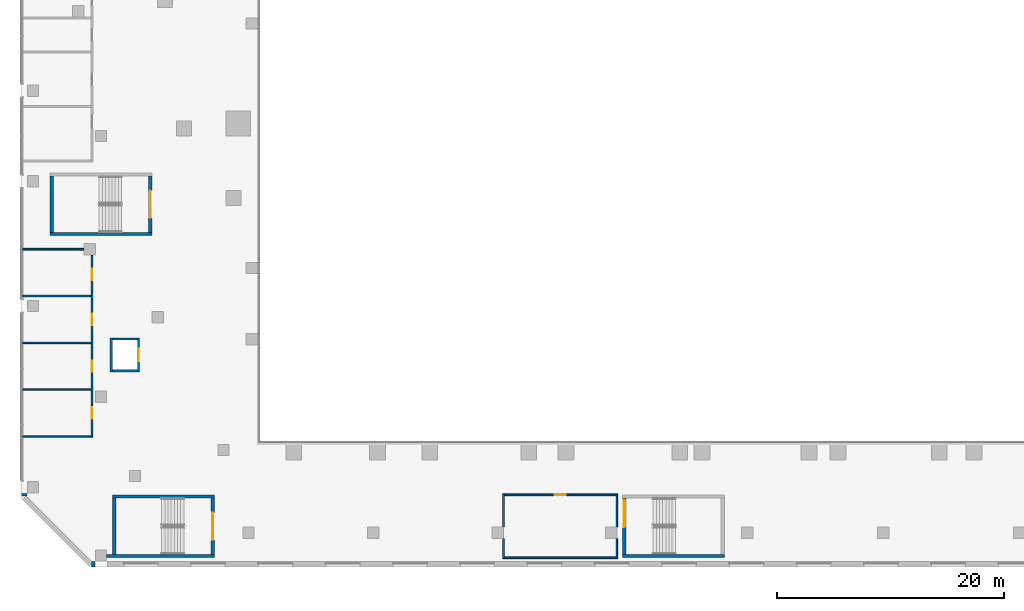
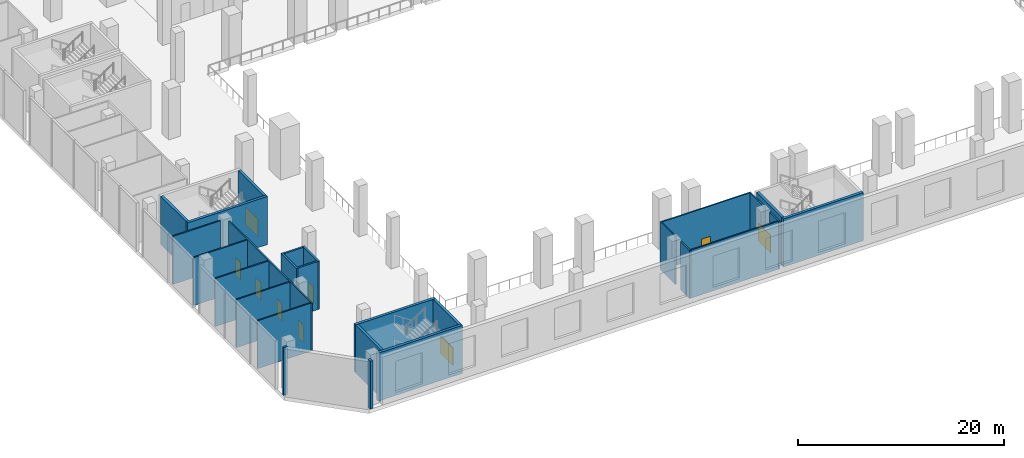
# One storey, part 10 of 30: 27 walls, 9 doors, 9 openings.
"""IFC4 building model written with IfcOpenShell, lengths in metres."""

from ifc_helpers import new_model, si_unit, direction, frame, frame_2d, origin, place, context, subcontext, project, spatial, rectangle, extrude, material, layer, layer_set, type_object, element, fill, save


model = new_model("IFC4")

# Units and contexts
model_context = context("Model", 3, precision=1e-05, world=origin(), true_north=direction((0.0, 1.0)))
body_context = subcontext(model_context, "Body", "Model", "MODEL_VIEW")
ifc_project = project(units=[si_unit("LENGTHUNIT", "METRE"), si_unit("AREAUNIT", "SQUARE_METRE"), si_unit("VOLUMEUNIT", "CUBIC_METRE"), si_unit("PLANEANGLEUNIT", "RADIAN"), si_unit("MASSUNIT", "GRAM", prefix="KILO")], contexts=[model_context])

# Site, building, storey
site_placement = place(None, origin())
site = spatial("IfcSite", under=ifc_project, at=site_placement, CompositionType="ELEMENT")
building_placement = place(site_placement, origin())
building = spatial("IfcBuilding", under=site, at=building_placement, Name="Wharfspan Tower", CompositionType="ELEMENT")
storey_placement = place(building_placement, frame((0.0, 0.0, 21.5)))
storey = spatial("IfcBuildingStorey", under=building, at=storey_placement, Name="L03", CompositionType="ELEMENT", Elevation=21.5)

# Wall
ifc_material_1 = material(Name="Calcium silicate masonry", Category="masonry")
ifc_layer_1 = layer(ifc_material_1, 0.149902)
ifc_layer_set_1 = layer_set([ifc_layer_1], Name="Calcium silicate masonry")
wall_type_1 = type_object("IfcWallType", Name="Podium room wall 150", PredefinedType="PARTITIONING", material=ifc_layer_set_1)
wall_1_placement = place(storey_placement, frame((-11.89502, -20.5, 0.0), z_axis=(0.0, 0.0, 1.0), x_axis=(1.0, 0.0, 0.0)))
element("IfcWall", 1, at=wall_1_placement, inside=storey, type_object=wall_type_1, Name="iw:L03:1", PredefinedType="PARTITIONING", context=body_context, shape_type="SweptSolid", body=[
    extrude(rectangle(XDim=6.02002, YDim=0.149902, at=frame_2d((3.01001, 0.0))), origin(), (0.0, 0.0, 1.0), 5.699951),
])

# Wall, openings, doors
wall_2_placement = place(storey_placement, frame((-5.800049, -20.574951, 0.0), z_axis=(0.0, 0.0, 1.0), x_axis=(0.0, 1.0, 0.0)))
wall_2 = element("IfcWall", 2, at=wall_2_placement, inside=storey, type_object=wall_type_1, Name="iw:L03:3", PredefinedType="PARTITIONING", context=body_context, shape_type="SweptSolid", body=[
    extrude(rectangle(XDim=16.064941, YDim=0.149902, at=frame_2d((8.032471, 0.0))), origin(), (0.0, 0.0, 1.0), 5.699951),
])
opening_1_placement = place(wall_2_placement, frame((1.637451, 0.0, 0.0)))
opening_1 = element("IfcOpeningElement", 3, at=opening_1_placement, cuts=wall_2, Name="Opening PD03.1", PredefinedType="OPENING", context=body_context, shape_type="SweptSolid", body=[
    extrude(rectangle(XDim=1.0, YDim=2.100098, at=frame_2d((0.5, 1.050049))), frame((0.0, 0.084961, 0.0), z_axis=(0.0, -1.0, 0.0), x_axis=(1.0, 0.0, 0.0)), (0.0, 0.0, 1.0), 0.169922),
])
opening_2_placement = place(wall_2_placement, frame((5.762451, 0.0, 0.0)))
opening_2 = element("IfcOpeningElement", 4, at=opening_2_placement, cuts=wall_2, Name="Opening PD03.2", PredefinedType="OPENING", context=body_context, shape_type="SweptSolid", body=[
    extrude(rectangle(XDim=1.0, YDim=2.100098, at=frame_2d((0.5, 1.050049))), frame((0.0, 0.084961, 0.0), z_axis=(0.0, -1.0, 0.0), x_axis=(1.0, 0.0, 0.0)), (0.0, 0.0, 1.0), 0.169922),
])
opening_3_placement = place(wall_2_placement, frame((9.887451, 0.0, 0.0)))
opening_3 = element("IfcOpeningElement", 5, at=opening_3_placement, cuts=wall_2, Name="Opening PD03.3", PredefinedType="OPENING", context=body_context, shape_type="SweptSolid", body=[
    extrude(rectangle(XDim=1.0, YDim=2.100098, at=frame_2d((0.5, 1.050049))), frame((0.0, 0.084961, 0.0), z_axis=(0.0, -1.0, 0.0), x_axis=(1.0, 0.0, 0.0)), (0.0, 0.0, 1.0), 0.169922),
])
opening_4_placement = place(wall_2_placement, frame((13.857422, 0.0, 0.0)))
opening_4 = element("IfcOpeningElement", 6, at=opening_4_placement, cuts=wall_2, Name="Opening PD03.4", PredefinedType="OPENING", context=body_context, shape_type="SweptSolid", body=[
    extrude(rectangle(XDim=1.0, YDim=2.100098, at=frame_2d((0.5, 1.050049))), frame((0.0, 0.084961, 0.0), z_axis=(0.0, -1.0, 0.0), x_axis=(1.0, 0.0, 0.0)), (0.0, 0.0, 1.0), 0.169922),
])
ifc_material_2 = material(Name="Steel door leaf", Category="steel")
door_type_1 = type_object("IfcDoorType", Name="Podium room door 1000x2100", OperationType="SINGLE_SWING_LEFT", PredefinedType="DOOR", material=ifc_material_2)
door_1_placement = place(opening_1_placement, origin())
door_1 = element("IfcDoor", 7, at=door_1_placement, inside=storey, type_object=door_type_1, Name="id:L03:1", OperationType="SINGLE_SWING_RIGHT", OverallHeight=2.100098, OverallWidth=1.0, PredefinedType="DOOR", context=body_context, shape_type="SweptSolid", body=[
    extrude(rectangle(XDim=1.0, YDim=2.100098, at=frame_2d((0.5, 1.050049))), frame((0.0, 0.024902, 0.0), z_axis=(0.0, -1.0, 0.0), x_axis=(1.0, 0.0, 0.0)), (0.0, 0.0, 1.0), 0.050049),
])
fill(opening_1, door_1)
door_2_placement = place(opening_2_placement, origin())
door_2 = element("IfcDoor", 8, at=door_2_placement, inside=storey, type_object=door_type_1, Name="id:L03:2", OperationType="SINGLE_SWING_LEFT", OverallHeight=2.100098, OverallWidth=1.0, PredefinedType="DOOR", context=body_context, shape_type="SweptSolid", body=[
    extrude(rectangle(XDim=1.0, YDim=2.100098, at=frame_2d((0.5, 1.050049))), frame((0.0, 0.024902, 0.0), z_axis=(0.0, -1.0, 0.0), x_axis=(1.0, 0.0, 0.0)), (0.0, 0.0, 1.0), 0.050049),
])
fill(opening_2, door_2)
door_3_placement = place(opening_3_placement, origin())
door_3 = element("IfcDoor", 9, at=door_3_placement, inside=storey, type_object=door_type_1, Name="id:L03:3", OperationType="SINGLE_SWING_RIGHT", OverallHeight=2.100098, OverallWidth=1.0, PredefinedType="DOOR", context=body_context, shape_type="SweptSolid", body=[
    extrude(rectangle(XDim=1.0, YDim=2.100098, at=frame_2d((0.5, 1.050049))), frame((0.0, 0.024902, 0.0), z_axis=(0.0, -1.0, 0.0), x_axis=(1.0, 0.0, 0.0)), (0.0, 0.0, 1.0), 0.050049),
])
fill(opening_3, door_3)
door_4_placement = place(opening_4_placement, origin())
door_4 = element("IfcDoor", 10, at=door_4_placement, inside=storey, type_object=door_type_1, Name="id:L03:4", OperationType="SINGLE_SWING_LEFT", OverallHeight=2.100098, OverallWidth=1.0, PredefinedType="DOOR", context=body_context, shape_type="SweptSolid", body=[
    extrude(rectangle(XDim=1.0, YDim=2.100098, at=frame_2d((0.5, 1.050049))), frame((0.0, 0.024902, 0.0), z_axis=(0.0, -1.0, 0.0), x_axis=(1.0, 0.0, 0.0)), (0.0, 0.0, 1.0), 0.050049),
])
fill(opening_4, door_4)

# Walls
for number, where, z_axis, x_axis, name in (
    (11, (-11.89502, -16.375, 0.0), (0.0, 0.0, 1.0), (1.0, 0.0, 0.0), "iw:L03:6"),
    (12, (-11.89502, -12.25, 0.0), (0.0, 0.0, 1.0), (1.0, 0.0, 0.0), "iw:L03:8"),
    (13, (-11.89502, -8.125, 0.0), (0.0, 0.0, 1.0), (1.0, 0.0, 0.0), "iw:L03:10"),
):
    element("IfcWall", number, at=place(storey_placement, frame(where, z_axis=z_axis, x_axis=x_axis)), inside=storey, type_object=wall_type_1, Name=name, PredefinedType="PARTITIONING", context=body_context, shape_type="SweptSolid", body=[
        extrude(rectangle(XDim=6.02002, YDim=0.149902, at=frame_2d((3.01001, 0.0))), origin(), (0.0, 0.0, 1.0), 5.699951),
    ])
wall_3_placement = place(storey_placement, frame((-11.89502, -4.0, 0.0), z_axis=(0.0, 0.0, 1.0), x_axis=(1.0, 0.0, 0.0)))
element("IfcWall", 14, at=wall_3_placement, inside=storey, type_object=wall_type_1, Name="iw:L03:12", PredefinedType="PARTITIONING", context=body_context, shape_type="SweptSolid", body=[
    extrude(rectangle(XDim=5.38501, YDim=0.149902, at=frame_2d((2.692383, 0.0))), origin(), (0.0, 0.0, 1.0), 5.699951),
])
wall_4_placement = place(storey_placement, frame((30.574951, -31.199951, 0.0), z_axis=(0.0, 0.0, 1.0), x_axis=(1.0, 0.0, 0.0)))
element("IfcWall", 15, at=wall_4_placement, inside=storey, type_object=wall_type_1, Name="iw:L03:43", PredefinedType="PARTITIONING", context=body_context, shape_type="SweptSolid", body=[
    extrude(rectangle(XDim=9.850098, YDim=0.149902, at=frame_2d((4.925049, 0.0))), origin(), (0.0, 0.0, 1.0), 5.699951),
])
wall_5_placement = place(storey_placement, frame((40.5, -31.274902, 0.0), z_axis=(0.0, 0.0, 1.0), x_axis=(0.0, 1.0, 0.0)))
element("IfcWall", 16, at=wall_5_placement, inside=storey, type_object=wall_type_1, Name="iw:L03:44", PredefinedType="PARTITIONING", context=body_context, shape_type="SweptSolid", body=[
    extrude(rectangle(XDim=1.764893, YDim=0.149902, at=frame_2d((0.882324, 0.0))), origin(), (0.0, 0.0, 1.0), 5.699951),
])
wall_6_placement = place(storey_placement, frame((40.5, -28.48999, 0.0), z_axis=(0.0, 0.0, 1.0), x_axis=(0.0, 1.0, 0.0)))
element("IfcWall", 17, at=wall_6_placement, inside=storey, type_object=wall_type_1, Name="iw:L03:45", PredefinedType="PARTITIONING", context=body_context, shape_type="SweptSolid", body=[
    extrude(rectangle(XDim=2.915039, YDim=0.149902, at=frame_2d((1.45752, 0.0))), origin(), (0.0, 0.0, 1.0), 5.699951),
])

# Wall, opening, door
wall_7_placement = place(storey_placement, frame((30.574951, -25.649902, 0.0), z_axis=(0.0, 0.0, 1.0), x_axis=(1.0, 0.0, 0.0)))
wall_7 = element("IfcWall", 18, at=wall_7_placement, inside=storey, type_object=wall_type_1, Name="iw:L03:46", PredefinedType="PARTITIONING", context=body_context, shape_type="SweptSolid", body=[
    extrude(rectangle(XDim=9.850098, YDim=0.149902, at=frame_2d((4.925049, 0.0))), origin(), (0.0, 0.0, 1.0), 5.699951),
])
opening_5_placement = place(wall_7_placement, frame((4.425049, 0.0, 0.0)))
opening_5 = element("IfcOpeningElement", 19, at=opening_5_placement, cuts=wall_7, Name="Opening PD03.24", PredefinedType="OPENING", context=body_context, shape_type="SweptSolid", body=[
    extrude(rectangle(XDim=1.0, YDim=2.100098, at=frame_2d((0.5, 1.050049))), frame((0.0, 0.084961, 0.0), z_axis=(0.0, -1.0, 0.0), x_axis=(1.0, 0.0, 0.0)), (0.0, 0.0, 1.0), 0.169922),
])
door_5_placement = place(opening_5_placement, origin())
door_5 = element("IfcDoor", 20, at=door_5_placement, inside=storey, type_object=door_type_1, Name="id:L03:24", OperationType="SINGLE_SWING_LEFT", OverallHeight=2.100098, OverallWidth=1.0, PredefinedType="DOOR", context=body_context, shape_type="SweptSolid", body=[
    extrude(rectangle(XDim=1.0, YDim=2.100098, at=frame_2d((0.5, 1.050049))), frame((0.0, 0.024902, 0.0), z_axis=(0.0, -1.0, 0.0), x_axis=(1.0, 0.0, 0.0)), (0.0, 0.0, 1.0), 0.050049),
])
fill(opening_5, door_5)

# Walls
wall_8_placement = place(storey_placement, frame((30.5, -31.274902, 0.0), z_axis=(0.0, 0.0, 1.0), x_axis=(0.0, 1.0, 0.0)))
element("IfcWall", 21, at=wall_8_placement, inside=storey, type_object=wall_type_1, Name="iw:L03:47", PredefinedType="PARTITIONING", context=body_context, shape_type="SweptSolid", body=[
    extrude(rectangle(XDim=1.764893, YDim=0.149902, at=frame_2d((0.882324, 0.0))), origin(), (0.0, 0.0, 1.0), 5.699951),
])
wall_9_placement = place(storey_placement, frame((30.5, -28.48999, 0.0), z_axis=(0.0, 0.0, 1.0), x_axis=(0.0, 1.0, 0.0)))
element("IfcWall", 22, at=wall_9_placement, inside=storey, type_object=wall_type_1, Name="iw:L03:48", PredefinedType="PARTITIONING", context=body_context, shape_type="SweptSolid", body=[
    extrude(rectangle(XDim=2.915039, YDim=0.149902, at=frame_2d((1.45752, 0.0))), origin(), (0.0, 0.0, 1.0), 5.699951),
])
ifc_material_3 = material(Name="Concrete C30/37", Category="concrete")
ifc_layer_2 = layer(ifc_material_3, 0.199951)
ifc_layer_set_2 = layer_set([ifc_layer_2], Name="Concrete C30/37")
wall_type_2 = type_object("IfcWallType", Name="Podium shaft wall 200", PredefinedType="PARTITIONING", material=ifc_layer_set_2)
wall_10_placement = place(storey_placement, frame((-4.100098, -14.800049, 0.0), z_axis=(0.0, 0.0, 1.0), x_axis=(0.0, 1.0, 0.0)))
element("IfcWall", 23, at=wall_10_placement, inside=storey, type_object=wall_type_2, Name="pl:LP3:L03:W", PredefinedType="PARTITIONING", context=body_context, shape_type="SweptSolid", body=[
    extrude(rectangle(XDim=3.0, YDim=0.199951, at=frame_2d((1.5, 0.0))), origin(), (0.0, 0.0, 1.0), 5.699951),
])

# Wall, opening, door
wall_11_placement = place(storey_placement, frame((-1.699951, -14.800049, 0.0), z_axis=(0.0, 0.0, 1.0), x_axis=(0.0, 1.0, 0.0)))
wall_11 = element("IfcWall", 24, at=wall_11_placement, inside=storey, type_object=wall_type_2, Name="pl:LP3:L03:E", PredefinedType="PARTITIONING", context=body_context, shape_type="SweptSolid", body=[
    extrude(rectangle(XDim=3.0, YDim=0.199951, at=frame_2d((1.5, 0.0))), origin(), (0.0, 0.0, 1.0), 5.699951),
])
opening_6_placement = place(wall_11_placement, frame((0.949951, 0.0, 0.0)))
opening_6 = element("IfcOpeningElement", 25, at=opening_6_placement, cuts=wall_11, Name="Opening LDP3.L03", PredefinedType="OPENING", context=body_context, shape_type="SweptSolid", body=[
    extrude(rectangle(XDim=1.100098, YDim=2.100098, at=frame_2d((0.550049, 1.050049))), frame((0.0, 0.109863, 0.0), z_axis=(0.0, -1.0, 0.0), x_axis=(1.0, 0.0, 0.0)), (0.0, 0.0, 1.0), 0.219971),
])
ifc_material_4 = material(Name="Stainless steel", Category="steel")
door_type_2 = type_object("IfcDoorType", Name="Podium lift landing door 1100x2100", OperationType="DOUBLE_DOOR_SLIDING", PredefinedType="DOOR", material=ifc_material_4)
door_6_placement = place(opening_6_placement, origin())
door_6 = element("IfcDoor", 26, at=door_6_placement, inside=storey, type_object=door_type_2, Name="Landing door LP3 L03", OperationType="DOUBLE_DOOR_SLIDING", OverallHeight=2.100098, OverallWidth=1.100098, PredefinedType="DOOR", context=body_context, shape_type="SweptSolid", body=[
    extrude(rectangle(XDim=1.100098, YDim=2.100098, at=frame_2d((0.550049, 1.050049))), frame((0.0, 0.024902, 0.0), z_axis=(0.0, -1.0, 0.0), x_axis=(1.0, 0.0, 0.0)), (0.0, 0.0, 1.0), 0.050049),
])
fill(opening_6, door_6)

# Walls
for number, where, z_axis, x_axis, name in (
    (27, (-4.0, -14.699951, 0.0), (0.0, 0.0, 1.0), (1.0, 0.0, 0.0), "pl:LP3:L03:S"),
    (28, (-4.0, -11.899902, 0.0), (0.0, 0.0, 1.0), (1.0, 0.0, 0.0), "pl:LP3:L03:N"),
):
    element("IfcWall", number, at=place(storey_placement, frame(where, z_axis=z_axis, x_axis=x_axis)), inside=storey, type_object=wall_type_2, Name=name, PredefinedType="PARTITIONING", context=body_context, shape_type="SweptSolid", body=[
        extrude(rectangle(XDim=2.199951, YDim=0.199951, at=frame_2d((1.100098, 0.0))), origin(), (0.0, 0.0, 1.0), 5.699951),
    ])
ifc_material_5 = material(Name="Concrete C40/50", Category="concrete")
ifc_layer_3 = layer(ifc_material_5, 0.300049)
ifc_layer_set_3 = layer_set([ifc_layer_3], Name="Concrete C40/50")
wall_type_3 = type_object("IfcWallType", Name="Podium stair core wall 300", PredefinedType="SHEAR", material=ifc_layer_set_3)
wall_12_placement = place(storey_placement, frame((-4.5, -31.050049, 0.0), z_axis=(0.0, 0.0, 1.0), x_axis=(1.0, 0.0, 0.0)))
element("IfcWall", 29, at=wall_12_placement, inside=storey, type_object=wall_type_3, Name="iw:L03:AS1S", PredefinedType="SHEAR", context=body_context, shape_type="SweptSolid", body=[
    extrude(rectangle(XDim=9.5, YDim=0.300049, at=frame_2d((4.75, 0.0))), origin(), (0.0, 0.0, 1.0), 5.699951),
])
wall_13_placement = place(storey_placement, frame((-4.0, -25.800049, 0.0), z_axis=(0.0, 0.0, 1.0), x_axis=(1.0, 0.0, 0.0)))
element("IfcWall", 30, at=wall_13_placement, inside=storey, type_object=wall_type_3, Name="iw:L03:AS1N", PredefinedType="SHEAR", context=body_context, shape_type="SweptSolid", body=[
    extrude(rectangle(XDim=9.0, YDim=0.300049, at=frame_2d((4.5, 0.0))), origin(), (0.0, 0.0, 1.0), 5.699951),
])
wall_14_placement = place(storey_placement, frame((-3.850098, -30.899902, 0.0), z_axis=(0.0, 0.0, 1.0), x_axis=(0.0, 1.0, 0.0)))
element("IfcWall", 31, at=wall_14_placement, inside=storey, type_object=wall_type_3, Name="iw:L03:AS1W", PredefinedType="SHEAR", context=body_context, shape_type="SweptSolid", body=[
    extrude(rectangle(XDim=4.949951, YDim=0.300049, at=frame_2d((2.475098, 0.0))), origin(), (0.0, 0.0, 1.0), 5.699951),
])

# Wall, opening, door
wall_15_placement = place(storey_placement, frame((4.850098, -30.899902, 0.0), z_axis=(0.0, 0.0, 1.0), x_axis=(0.0, 1.0, 0.0)))
wall_15 = element("IfcWall", 32, at=wall_15_placement, inside=storey, type_object=wall_type_3, Name="iw:L03:AS1E", PredefinedType="SHEAR", context=body_context, shape_type="SweptSolid", body=[
    extrude(rectangle(XDim=4.949951, YDim=0.300049, at=frame_2d((2.475098, 0.0))), origin(), (0.0, 0.0, 1.0), 5.699951),
])
opening_7_placement = place(wall_15_placement, frame((1.274902, 0.0, 0.0)))
opening_7 = element("IfcOpeningElement", 33, at=opening_7_placement, cuts=wall_15, Name="Opening SDAS1.L03", PredefinedType="OPENING", context=body_context, shape_type="SweptSolid", body=[
    extrude(rectangle(XDim=2.399902, YDim=2.100098, at=frame_2d((1.199951, 1.050049))), frame((0.0, 0.159912, 0.0), z_axis=(0.0, -1.0, 0.0), x_axis=(1.0, 0.0, 0.0)), (0.0, 0.0, 1.0), 0.320068),
])
door_type_3 = type_object("IfcDoorType", Name="Podium stair door 2400x2100", OperationType="DOUBLE_DOOR_SINGLE_SWING", PredefinedType="DOOR", material=ifc_material_2)
door_7_placement = place(opening_7_placement, origin())
door_7 = element("IfcDoor", 34, at=door_7_placement, inside=storey, type_object=door_type_3, Name="id:L03:AS1", OperationType="DOUBLE_DOOR_SINGLE_SWING", OverallHeight=2.100098, OverallWidth=2.399902, PredefinedType="DOOR", context=body_context, shape_type="SweptSolid", body=[
    extrude(rectangle(XDim=2.399902, YDim=2.100098, at=frame_2d((1.199951, 1.050049))), frame((0.0, 0.024902, 0.0), z_axis=(0.0, -1.0, 0.0), x_axis=(1.0, 0.0, 0.0)), (0.0, 0.0, 1.0), 0.050049),
])
fill(opening_7, door_7)

# Wall
wall_16_placement = place(storey_placement, frame((41.0, -31.050049, 0.0), z_axis=(0.0, 0.0, 1.0), x_axis=(1.0, 0.0, 0.0)))
element("IfcWall", 35, at=wall_16_placement, inside=storey, type_object=wall_type_3, Name="iw:L03:AS5S", PredefinedType="SHEAR", context=body_context, shape_type="SweptSolid", body=[
    extrude(rectangle(XDim=9.0, YDim=0.300049, at=frame_2d((4.5, 0.0))), origin(), (0.0, 0.0, 1.0), 5.699951),
])

# Wall, opening, door
wall_17_placement = place(storey_placement, frame((41.149902, -30.899902, 0.0), z_axis=(0.0, 0.0, 1.0), x_axis=(0.0, 1.0, 0.0)))
wall_17 = element("IfcWall", 36, at=wall_17_placement, inside=storey, type_object=wall_type_3, Name="iw:L03:AS5W", PredefinedType="SHEAR", context=body_context, shape_type="SweptSolid", body=[
    extrude(rectangle(XDim=4.949951, YDim=0.300049, at=frame_2d((2.475098, 0.0))), origin(), (0.0, 0.0, 1.0), 5.699951),
])
opening_8_placement = place(wall_17_placement, frame((2.396973, 0.0, 0.0)))
opening_8 = element("IfcOpeningElement", 37, at=opening_8_placement, cuts=wall_17, Name="Opening SDAS5.L03", PredefinedType="OPENING", context=body_context, shape_type="SweptSolid", body=[
    extrude(rectangle(XDim=2.399902, YDim=2.100098, at=frame_2d((1.199951, 1.050049))), frame((0.0, 0.159912, 0.0), z_axis=(0.0, -1.0, 0.0), x_axis=(1.0, 0.0, 0.0)), (0.0, 0.0, 1.0), 0.320068),
])
door_8_placement = place(opening_8_placement, origin())
door_8 = element("IfcDoor", 38, at=door_8_placement, inside=storey, type_object=door_type_3, Name="id:L03:AS5", OperationType="DOUBLE_DOOR_SINGLE_SWING", OverallHeight=2.100098, OverallWidth=2.399902, PredefinedType="DOOR", context=body_context, shape_type="SweptSolid", body=[
    extrude(rectangle(XDim=2.399902, YDim=2.100098, at=frame_2d((1.199951, 1.050049))), frame((0.0, 0.024902, 0.0), z_axis=(0.0, -1.0, 0.0), x_axis=(1.0, 0.0, 0.0)), (0.0, 0.0, 1.0), 0.050049),
])
fill(opening_8, door_8)

# Walls
wall_18_placement = place(storey_placement, frame((-9.5, -2.649902, 0.0), z_axis=(0.0, 0.0, 1.0), x_axis=(1.0, 0.0, 0.0)))
element("IfcWall", 39, at=wall_18_placement, inside=storey, type_object=wall_type_3, Name="iw:L03:AS7S", PredefinedType="SHEAR", context=body_context, shape_type="SweptSolid", body=[
    extrude(rectangle(XDim=9.0, YDim=0.300049, at=frame_2d((4.5, 0.0))), origin(), (0.0, 0.0, 1.0), 5.699951),
])
wall_19_placement = place(storey_placement, frame((-9.350098, -2.5, 0.0), z_axis=(0.0, 0.0, 1.0), x_axis=(0.0, 1.0, 0.0)))
element("IfcWall", 40, at=wall_19_placement, inside=storey, type_object=wall_type_3, Name="iw:L03:AS7W", PredefinedType="SHEAR", context=body_context, shape_type="SweptSolid", body=[
    extrude(rectangle(XDim=4.949951, YDim=0.300049, at=frame_2d((2.475098, 0.0))), origin(), (0.0, 0.0, 1.0), 5.699951),
])

# Wall, opening, door
wall_20_placement = place(storey_placement, frame((-0.649902, -2.5, 0.0), z_axis=(0.0, 0.0, 1.0), x_axis=(0.0, 1.0, 0.0)))
wall_20 = element("IfcWall", 41, at=wall_20_placement, inside=storey, type_object=wall_type_3, Name="iw:L03:AS7E", PredefinedType="SHEAR", context=body_context, shape_type="SweptSolid", body=[
    extrude(rectangle(XDim=4.949951, YDim=0.300049, at=frame_2d((2.475098, 0.0))), origin(), (0.0, 0.0, 1.0), 5.699951),
])
opening_9_placement = place(wall_20_placement, frame((1.274902, 0.0, 0.0)))
opening_9 = element("IfcOpeningElement", 42, at=opening_9_placement, cuts=wall_20, Name="Opening SDAS7.L03", PredefinedType="OPENING", context=body_context, shape_type="SweptSolid", body=[
    extrude(rectangle(XDim=2.399902, YDim=2.100098, at=frame_2d((1.199951, 1.050049))), frame((0.0, 0.159912, 0.0), z_axis=(0.0, -1.0, 0.0), x_axis=(1.0, 0.0, 0.0)), (0.0, 0.0, 1.0), 0.320068),
])
door_9_placement = place(opening_9_placement, origin())
door_9 = element("IfcDoor", 43, at=door_9_placement, inside=storey, type_object=door_type_3, Name="id:L03:AS7", OperationType="DOUBLE_DOOR_SINGLE_SWING", OverallHeight=2.100098, OverallWidth=2.399902, PredefinedType="DOOR", context=body_context, shape_type="SweptSolid", body=[
    extrude(rectangle(XDim=2.399902, YDim=2.100098, at=frame_2d((1.199951, 1.050049))), frame((0.0, 0.024902, 0.0), z_axis=(0.0, -1.0, 0.0), x_axis=(1.0, 0.0, 0.0)), (0.0, 0.0, 1.0), 0.050049),
])
fill(opening_9, door_9)

# Walls
ifc_layer_4 = layer(ifc_material_5, 0.449951)
ifc_layer_set_4 = layer_set([ifc_layer_4], Name="Concrete C40/50")
wall_type_4 = type_object("IfcWallType", Name="WALL BOARD-MARKED CONCRETE 450", PredefinedType="SOLIDWALL", material=ifc_layer_set_4)
wall_21_placement = place(storey_placement, frame((-5.840088, -31.774902, 0.0), z_axis=(0.0, 0.0, 1.0), x_axis=(1.0, 0.0, 0.0)))
element("IfcWall", 44, at=wall_21_placement, inside=storey, type_object=wall_type_4, Name="Podium wall PF1", PredefinedType="SOLIDWALL", context=body_context, shape_type="SweptSolid", body=[
    extrude(rectangle(XDim=0.290039, YDim=0.449951, at=frame_2d((0.14502, 0.0))), origin(), (0.0, 0.0, 1.0), 5.699951),
])
wall_22_placement = place(storey_placement, frame((-11.774902, -25.550049, 0.0), z_axis=(0.0, 0.0, 1.0), x_axis=(0.0, -1.0, 0.0)))
element("IfcWall", 45, at=wall_22_placement, inside=storey, type_object=wall_type_4, Name="Podium wall PF12", PredefinedType="SOLIDWALL", context=body_context, shape_type="SweptSolid", body=[
    extrude(rectangle(XDim=0.199951, YDim=0.449951, at=frame_2d((0.100098, 0.0))), origin(), (0.0, 0.0, 1.0), 5.699951),
])

save(model, "model.ifc")
